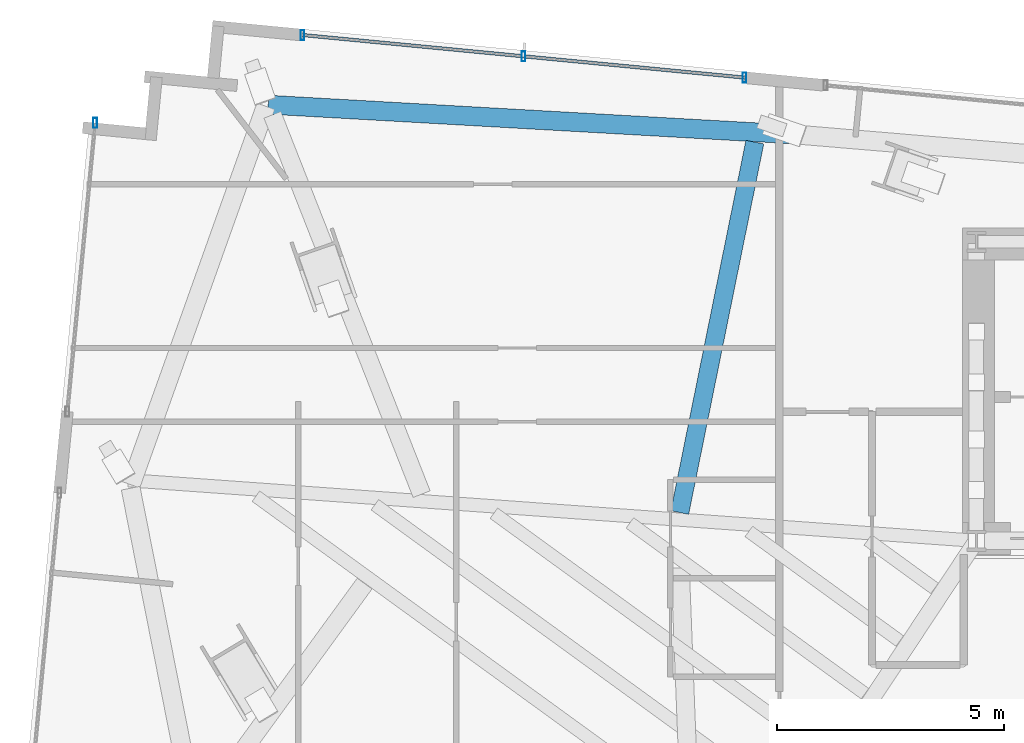
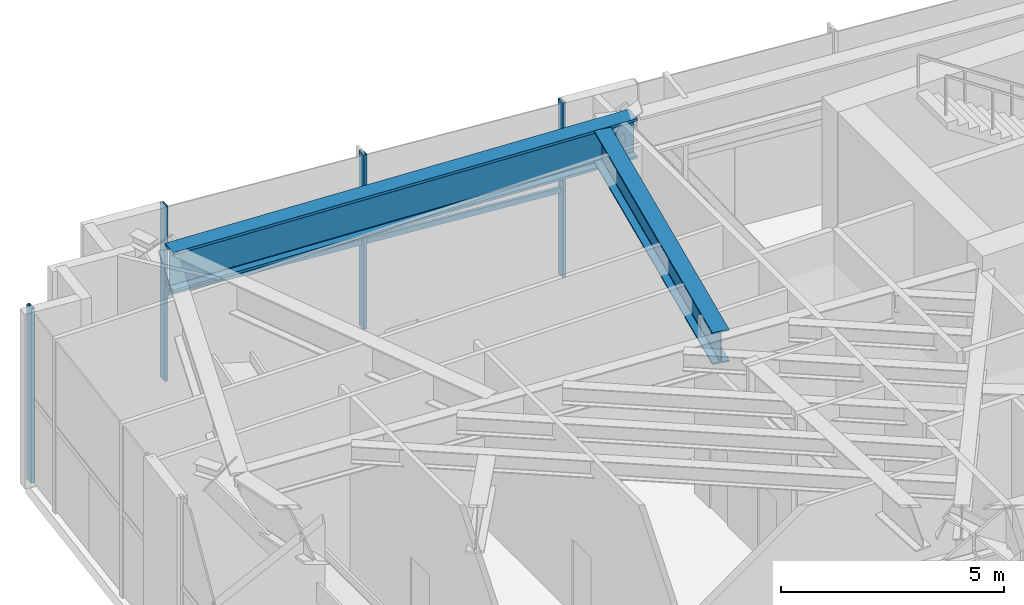
# One storey, part 7 of 23: 6 members, 2 beams, 2 elements without a shape of their own.
"""IFC4 building model written with IfcOpenShell, lengths in metres."""

from ifc_helpers import new_model, si_unit, direction, frame, origin, origin_2d, place, context, subcontext, project, spatial, hollow_rectangle, i_section, extrude, source, transform, mapped, material, material_profile, profile_set, type_object, type_shapes, element, aggregate, save


model = new_model("IFC4")

# Units and contexts
model_context = context("Model", 3, precision=1e-05, world=origin(), true_north=direction((0.0, 1.0)))
body_context = subcontext(model_context, "Body", "Model", "MODEL_VIEW")
ifc_project = project(units=[si_unit("LENGTHUNIT", "METRE"), si_unit("AREAUNIT", "SQUARE_METRE"), si_unit("VOLUMEUNIT", "CUBIC_METRE"), si_unit("PLANEANGLEUNIT", "RADIAN"), si_unit("MASSUNIT", "GRAM", prefix="KILO")], contexts=[model_context])

# Site, building, storey
site_placement = place(None, origin())
site = spatial("IfcSite", under=ifc_project, at=site_placement, CompositionType="ELEMENT")
building_placement = place(site_placement, origin())
building = spatial("IfcBuilding", under=site, at=building_placement, Name="Astriad Promenade Condominiums", CompositionType="ELEMENT")
storey_placement = place(building_placement, frame((0.0, 0.0, 119.39990234375)))
storey = spatial("IfcBuildingStorey", under=building, at=storey_placement, Name="L34", CompositionType="ELEMENT", Elevation=119.39990234375)

# Beams
ifc_material_1 = material(Name="Steel ASTM A992 Grade 50", Category="steel")
ifc_material_profile_1 = material_profile(ifc_material_1, i_section(OverallWidth=0.4169921875, OverallDepth=1.093505859375, WebThickness=0.0390625, FlangeThickness=0.070068359375, FilletRadius=0.025390625, at=origin_2d()), Name="W40X503")
ifc_profile_set_1 = profile_set([ifc_material_profile_1], Name="Steel ASTM A992 Grade 50")
beam_type_1 = type_object("IfcBeamType", Name="STEEL TRANSFER GIRDER W40X503", PredefinedType="BEAM", material=ifc_profile_set_1)
shared_shape_1 = source(origin(), body_context, "Body", "SweptSolid", [
    extrude(i_section(OverallWidth=0.4169921875, OverallDepth=1.093505859375, WebThickness=0.0390625, FlangeThickness=0.070068359375, FilletRadius=0.025390625, at=origin_2d()), origin(), (0.0, 0.0, 1.0), 11.65625),
])
type_shapes(beam_type_1, [shared_shape_1])
beam_1_placement = place(storey_placement, frame((22.409912109375, 26.3671875, 4.2333984375), z_axis=(-0.998403250178, 0.056488494708, 0.0), x_axis=(-0.056488494708, -0.998403250178, 0.0)))
element("IfcBeam", 1, at=beam_1_placement, inside=storey, type_object=beam_type_1, Name="Perimeter Spandrel Beam SP-N1-L34", PredefinedType="BEAM", context=body_context, shape_type="MappedRepresentation", body=[
    mapped(shared_shape_1, transform((0.0, 0.0, 0.0), scale=1.0)),
])
ifc_material_profile_2 = material_profile(ifc_material_1, i_section(OverallWidth=0.4013671875, OverallDepth=0.877197265625, WebThickness=0.022216796875, FlangeThickness=0.039794921875, FilletRadius=0.02294921875, at=origin_2d()), Name="W33X263")
ifc_profile_set_2 = profile_set([ifc_material_profile_2], Name="Steel ASTM A992 Grade 50")
beam_type_2 = type_object("IfcBeamType", Name="STEEL TRANSFER CARRIER GIRDER W33X263", PredefinedType="BEAM", material=ifc_profile_set_2)
shared_shape_2 = source(origin(), body_context, "Body", "SweptSolid", [
    extrude(i_section(OverallWidth=0.4013671875, OverallDepth=0.877197265625, WebThickness=0.022216796875, FlangeThickness=0.039794921875, FilletRadius=0.02294921875, at=origin_2d()), origin(), (0.0, 0.0, 1.0), 8.34130859375),
])
type_shapes(beam_type_2, [shared_shape_2])
beam_2_placement = place(storey_placement, frame((19.85498046875, 18.024169921875, 4.341552734375), z_axis=(0.198704597821, 0.9800594282, 0.0), x_axis=(-0.9800594282, 0.198704597821, 0.0)))
element("IfcBeam", 2, at=beam_2_placement, inside=storey, type_object=beam_type_2, Name="Transfer Splice Carrier TRM-SP-PC07-L34", PredefinedType="BEAM", context=body_context, shape_type="MappedRepresentation", body=[
    mapped(shared_shape_2, transform((0.0, 0.0, 0.0), scale=1.0)),
])

# Curtain wall, members
ifc_material_2 = material(Name="Anodised aluminium Black Dark Glass Unitised", Category="aluminium")
curtain_wall_type = type_object("IfcCurtainWallType", Name="CW-B34-DARK", PredefinedType="USERDEFINED", material=ifc_material_2)
curtain_wall_1_placement = place(storey_placement, origin())
curtain_wall_1 = element("IfcCurtainWall", 3, at=curtain_wall_1_placement, inside=storey, type_object=curtain_wall_type, Name="CW-L34-N-1", ObjectType="UNITISED_CURTAIN_WALL", PredefinedType="USERDEFINED")
ifc_material_3 = material(Name="Anodised aluminium 6063-T6 Black", Category="aluminium")
ifc_material_profile_3 = material_profile(ifc_material_3, hollow_rectangle(XDim=0.074951171875, YDim=0.14990234375, WallThickness=0.004150390625, at=origin_2d()), Name="ALU-TRN-75X150")
ifc_profile_set_3 = profile_set([ifc_material_profile_3], Name="Anodised aluminium 6063-T6 Black")
member_type_1 = type_object("IfcMemberType", Name="TRN-ALU-TRN-75X150", PredefinedType="USERDEFINED", material=ifc_profile_set_3)
shared_shape_3 = source(origin(), body_context, "Body", "SweptSolid", [
    extrude(hollow_rectangle(XDim=0.074951171875, YDim=0.14990234375, WallThickness=0.004150390625, at=origin_2d()), origin(), (0.0, 0.0, 1.0), 4.89990234375),
])
type_shapes(member_type_1, [shared_shape_3])
member_1_placement = place(storey_placement, frame((11.529541015625, 28.562744140625, 2.35009765625), z_axis=(0.995399347527, -0.095813041611, 0.0), x_axis=(0.095813041611, 0.995399347527, 0.0)))
member_1 = element("IfcMember", 4, at=member_1_placement, type_object=member_type_1, Name="CW-L34-N-1-TRN-00-0", ObjectType="TRANSOM", PredefinedType="USERDEFINED", context=body_context, shape_type="MappedRepresentation", body=[
    mapped(shared_shape_3, transform((0.0, 0.0, 0.0), scale=1.0)),
])
member_2_placement = place(storey_placement, frame((16.406982421875, 28.09326171875, 2.35009765625), z_axis=(0.995394594425, -0.095862408633, 0.0), x_axis=(0.095862408633, 0.995394594425, 0.0)))
member_2 = element("IfcMember", 5, at=member_2_placement, type_object=member_type_1, Name="CW-L34-N-1-TRN-01-0", ObjectType="TRANSOM", PredefinedType="USERDEFINED", context=body_context, shape_type="MappedRepresentation", body=[
    mapped(shared_shape_3, transform((0.0, 0.0, 0.0), scale=1.0)),
])

# Curtain wall, member
curtain_wall_2_placement = place(storey_placement, origin())
curtain_wall_2 = element("IfcCurtainWall", 6, at=curtain_wall_2_placement, inside=storey, type_object=curtain_wall_type, Name="CW-L34-W-2", ObjectType="UNITISED_CURTAIN_WALL", PredefinedType="USERDEFINED")
ifc_material_profile_4 = material_profile(ifc_material_3, hollow_rectangle(XDim=0.0849609375, YDim=0.219970703125, WallThickness=0.0048828125, at=origin_2d()), Name="ALU-MUL-85X220")
ifc_profile_set_4 = profile_set([ifc_material_profile_4], Name="Anodised aluminium 6063-T6 Black")
member_type_2 = type_object("IfcMemberType", Name="MUL-ALU-MUL-85X220", PredefinedType="MULLION", material=ifc_profile_set_4)
shared_shape_4 = source(origin(), body_context, "Body", "SweptSolid", [
    extrude(hollow_rectangle(XDim=0.0849609375, YDim=0.219970703125, WallThickness=0.0048828125, at=origin_2d()), origin(), (0.0, 0.0, 1.0), 4.780029296875),
])
type_shapes(member_type_2, [shared_shape_4])
member_3_placement = place(storey_placement, frame((6.952392578125, 26.62255859375, 0.0), z_axis=(0.0, 0.0, 1.0), x_axis=(1.0, 0.0, 0.0)))
member_3 = element("IfcMember", 7, at=member_3_placement, type_object=member_type_2, Name="CW-L34-W-2-MUL-01", PredefinedType="MULLION", context=body_context, shape_type="MappedRepresentation", body=[
    mapped(shared_shape_4, transform((0.0, 0.0, 0.0), scale=1.0)),
])
aggregate(curtain_wall_2, [member_3])

# Member
member_4_placement = place(storey_placement, frame((11.529541015625, 28.562744140625, 0.0), z_axis=(0.0, 0.0, 1.0), x_axis=(1.0, 0.0, 0.0)))
member_4 = element("IfcMember", 8, at=member_4_placement, type_object=member_type_2, Name="CW-L34-N-1-MUL-00", PredefinedType="MULLION", context=body_context, shape_type="MappedRepresentation", body=[
    mapped(shared_shape_4, transform((0.0, 0.0, 0.0), scale=1.0)),
])

member_5_placement = place(storey_placement, frame((16.406982421875, 28.09326171875, 0.0), z_axis=(0.0, 0.0, 1.0), x_axis=(1.0, 0.0, 0.0)))
member_5 = element("IfcMember", 9, at=member_5_placement, type_object=member_type_2, Name="CW-L34-N-1-MUL-01", PredefinedType="MULLION", context=body_context, shape_type="MappedRepresentation", body=[
    mapped(shared_shape_4, transform((0.0, 0.0, 0.0), scale=1.0)),
])

member_6_placement = place(storey_placement, frame((21.284423828125, 27.62353515625, 0.0), z_axis=(0.0, 0.0, 1.0), x_axis=(1.0, 0.0, 0.0)))
member_6 = element("IfcMember", 10, at=member_6_placement, type_object=member_type_2, Name="CW-L34-N-1-MUL-02", PredefinedType="MULLION", context=body_context, shape_type="MappedRepresentation", body=[
    mapped(shared_shape_4, transform((0.0, 0.0, 0.0), scale=1.0)),
])

aggregate(curtain_wall_1, [member_4, member_5, member_6, member_1, member_2])

save(model, "model.ifc")
